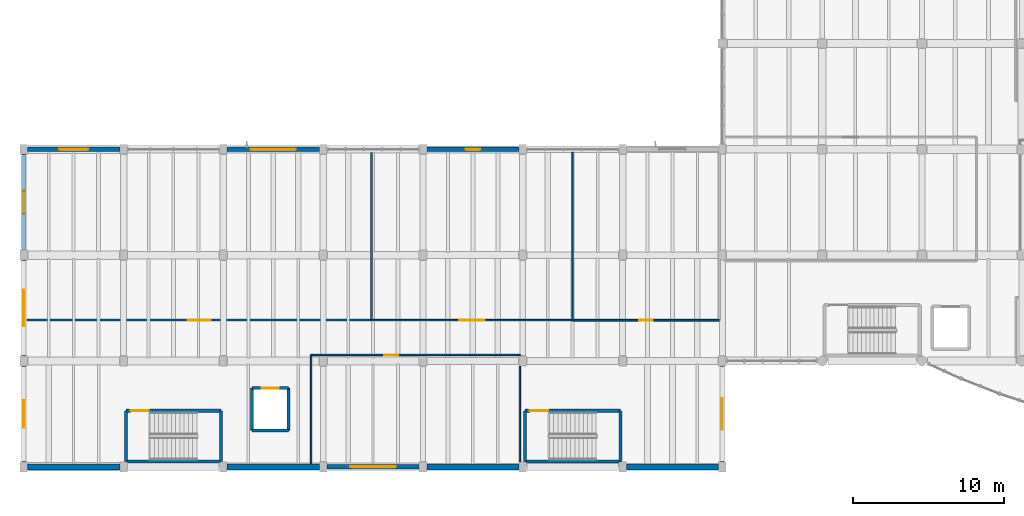
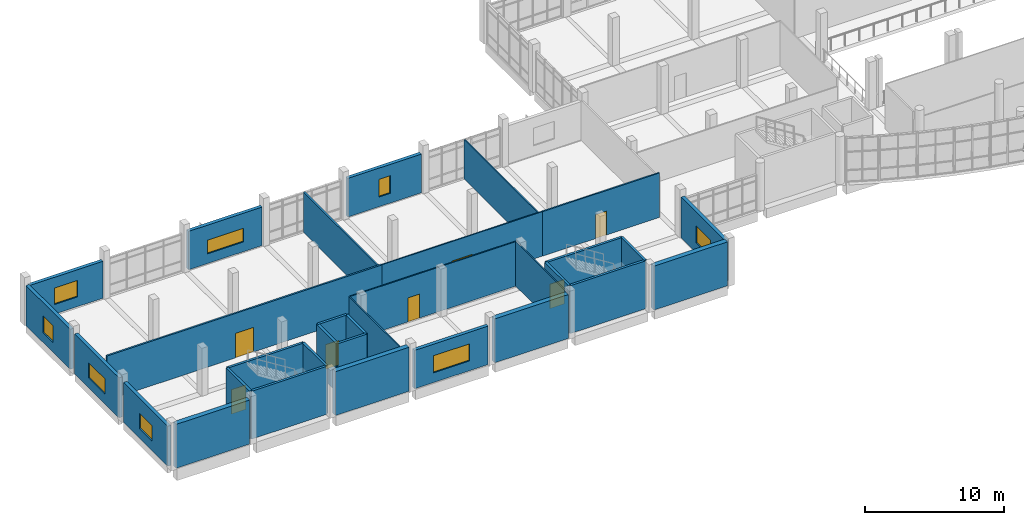
# One storey, part 49 of 67: 32 walls, 8 windows, 7 doors, 15 openings.
"""IFC4 building model written with IfcOpenShell, lengths in metres."""

from ifc_helpers import new_model, si_unit, direction, frame, frame_2d, origin, place, context, subcontext, project, spatial, rectangle, extrude, material, layer, layer_set, type_object, element, fill, save


model = new_model("IFC4")

# Units and contexts
model_context = context("Model", 3, precision=1e-05, world=origin(), true_north=direction((0.0, 1.0)))
body_context = subcontext(model_context, "Body", "Model", "MODEL_VIEW")
ifc_project = project(units=[si_unit("LENGTHUNIT", "METRE"), si_unit("AREAUNIT", "SQUARE_METRE"), si_unit("VOLUMEUNIT", "CUBIC_METRE"), si_unit("PLANEANGLEUNIT", "RADIAN"), si_unit("MASSUNIT", "GRAM", prefix="KILO")], contexts=[model_context])

# Site, building, storey
site_placement = place(None, origin())
site = spatial("IfcSite", under=ifc_project, at=site_placement, CompositionType="ELEMENT")
building_placement = place(site_placement, origin())
building = spatial("IfcBuilding", under=site, at=building_placement, Name="Ciguamira Faculty of Natural Sciences", CompositionType="ELEMENT")
storey_placement = place(building_placement, frame((0.0, 0.0, 8.39990234375)))
storey = spatial("IfcBuildingStorey", under=building, at=storey_placement, Name="L02", CompositionType="ELEMENT", Elevation=8.39990234375)

# Wall, opening, window
ifc_material_1 = material(Name="Precast concrete C40/50", Category="concrete")
ifc_layer_1 = layer(ifc_material_1, 0.280029296875, Name="Precast concrete C40/50")
ifc_layer_set_1 = layer_set([ifc_layer_1], Name="Precast concrete C40/50")
wall_type_1 = type_object("IfcWallType", Name="ExtWall_EW-01_280", PredefinedType="SOLIDWALL", material=ifc_layer_set_1)
wall_1_placement = place(storey_placement, frame((24.550048828125, 3.0, 0.0), z_axis=(0.0, 0.0, 1.0), x_axis=(1.0, 0.0, 0.0)))
wall_1 = element("IfcWall", 1, at=wall_1_placement, inside=storey, type_object=wall_type_1, Name="L02 exterior wall 0209", PredefinedType="SOLIDWALL", context=body_context, shape_type="SweptSolid", body=[
    extrude(rectangle(XDim=6.099853515625, YDim=0.280029296875, at=frame_2d((3.0498046875, 0.0))), origin(), (0.0, 0.0, 1.0), 3.364990234375),
])
opening_1_placement = place(wall_1_placement, frame((1.550048828125, 0.0, 0.85009765625)))
opening_1 = element("IfcOpeningElement", 2, at=opening_1_placement, cuts=wall_1, Name="Opening WT-14", PredefinedType="OPENING", context=body_context, shape_type="SweptSolid", body=[
    extrude(rectangle(XDim=3.0, YDim=1.5, at=frame_2d((1.5, 0.75))), frame((0.0, 0.14990234375, 0.0), z_axis=(0.0, -1.0, 0.0), x_axis=(1.0, 0.0, 0.0)), (0.0, 0.0, 1.0), 0.300048828125),
])
ifc_material_2 = material(Name="Hurricane laminated solar glass", Category="glass")
window_type_1 = type_object("IfcWindowType", Name="Window_WT-14_3000x1500", PartitioningType="DOUBLE_PANEL_VERTICAL", PredefinedType="WINDOW", material=ifc_material_2)
window_1_placement = place(opening_1_placement, origin())
window_1 = element("IfcWindow", 3, at=window_1_placement, inside=storey, type_object=window_type_1, Name="L02 facade window 0122", OverallHeight=1.5, OverallWidth=3.0, PartitioningType="SINGLE_PANEL", PredefinedType="WINDOW", context=body_context, shape_type="SweptSolid", body=[
    extrude(rectangle(XDim=3.0, YDim=1.5, at=frame_2d((1.5, 0.75))), frame((0.0, 0.030029296875, 0.0), z_axis=(0.0, -1.0, 0.0), x_axis=(1.0, 0.0, 0.0)), (0.0, 0.0, 1.0), 0.06005859375),
])
fill(opening_1, window_1)

wall_2_placement = place(storey_placement, frame((4.75, 24.0, 0.0), z_axis=(0.0, 0.0, 1.0), x_axis=(1.0, 0.0, 0.0)))
wall_2 = element("IfcWall", 4, at=wall_2_placement, inside=storey, type_object=wall_type_1, Name="L02 exterior wall 0212", PredefinedType="SOLIDWALL", context=body_context, shape_type="SweptSolid", body=[
    extrude(rectangle(XDim=6.10009765625, YDim=0.280029296875, at=frame_2d((3.050048828125, 0.0))), origin(), (0.0, 0.0, 1.0), 3.235107421875),
])
opening_2_placement = place(wall_2_placement, frame((2.10009765625, 0.0, 0.85009765625)))
opening_2 = element("IfcOpeningElement", 5, at=opening_2_placement, cuts=wall_2, Name="Opening WT-30", PredefinedType="OPENING", context=body_context, shape_type="SweptSolid", body=[
    extrude(rectangle(XDim=1.89990234375, YDim=1.449951171875, at=frame_2d((0.949951171875, 0.72509765625))), frame((0.0, 0.14990234375, 0.0), z_axis=(0.0, -1.0, 0.0), x_axis=(1.0, 0.0, 0.0)), (0.0, 0.0, 1.0), 0.300048828125),
])
window_type_2 = type_object("IfcWindowType", Name="Window_WT-30_1900x1450", PartitioningType="DOUBLE_PANEL_VERTICAL", PredefinedType="WINDOW", material=ifc_material_2)
window_2_placement = place(opening_2_placement, origin())
window_2 = element("IfcWindow", 6, at=window_2_placement, inside=storey, type_object=window_type_2, Name="L02 facade window 0123", OverallHeight=1.449951171875, OverallWidth=1.89990234375, PartitioningType="SINGLE_PANEL", PredefinedType="WINDOW", context=body_context, shape_type="SweptSolid", body=[
    extrude(rectangle(XDim=1.89990234375, YDim=1.449951171875, at=frame_2d((0.949951171875, 0.72509765625))), frame((0.0, 0.030029296875, 0.0), z_axis=(0.0, -1.0, 0.0), x_axis=(1.0, 0.0, 0.0)), (0.0, 0.0, 1.0), 0.06005859375),
])
fill(opening_2, window_2)

wall_3_placement = place(storey_placement, frame((17.949951171875, 24.0, 0.0), z_axis=(0.0, 0.0, 1.0), x_axis=(1.0, 0.0, 0.0)))
wall_3 = element("IfcWall", 7, at=wall_3_placement, inside=storey, type_object=wall_type_1, Name="L02 exterior wall 0213", PredefinedType="SOLIDWALL", context=body_context, shape_type="SweptSolid", body=[
    extrude(rectangle(XDim=6.10009765625, YDim=0.280029296875, at=frame_2d((3.050048828125, 0.0))), origin(), (0.0, 0.0, 1.0), 3.364990234375),
])
opening_3_placement = place(wall_3_placement, frame((1.550048828125, 0.0, 0.85009765625)))
opening_3 = element("IfcOpeningElement", 8, at=opening_3_placement, cuts=wall_3, Name="Opening WT-33", PredefinedType="OPENING", context=body_context, shape_type="SweptSolid", body=[
    extrude(rectangle(XDim=3.0, YDim=1.199951171875, at=frame_2d((1.5, 0.60009765625))), frame((0.0, 0.14990234375, 0.0), z_axis=(0.0, -1.0, 0.0), x_axis=(1.0, 0.0, 0.0)), (0.0, 0.0, 1.0), 0.300048828125),
])
window_type_3 = type_object("IfcWindowType", Name="Window_WT-33_3000x1200", PartitioningType="DOUBLE_PANEL_VERTICAL", PredefinedType="WINDOW", material=ifc_material_2)
window_3_placement = place(opening_3_placement, origin())
window_3 = element("IfcWindow", 9, at=window_3_placement, inside=storey, type_object=window_type_3, Name="L02 facade window 0124", OverallHeight=1.199951171875, OverallWidth=3.0, PartitioningType="SINGLE_PANEL", PredefinedType="WINDOW", context=body_context, shape_type="SweptSolid", body=[
    extrude(rectangle(XDim=3.0, YDim=1.199951171875, at=frame_2d((1.5, 0.60009765625))), frame((0.0, 0.030029296875, 0.0), z_axis=(0.0, -1.0, 0.0), x_axis=(1.0, 0.0, 0.0)), (0.0, 0.0, 1.0), 0.06005859375),
])
fill(opening_3, window_3)

wall_4_placement = place(storey_placement, frame((31.14990234375, 24.0, 0.0), z_axis=(0.0, 0.0, 1.0), x_axis=(1.0, 0.0, 0.0)))
wall_4 = element("IfcWall", 10, at=wall_4_placement, inside=storey, type_object=wall_type_1, Name="L02 exterior wall 0214", PredefinedType="SOLIDWALL", context=body_context, shape_type="SweptSolid", body=[
    extrude(rectangle(XDim=6.10009765625, YDim=0.280029296875, at=frame_2d((3.050048828125, 0.0))), origin(), (0.0, 0.0, 1.0), 3.385009765625),
])
opening_4_placement = place(wall_4_placement, frame((2.574951171875, 0.0, 0.85009765625)))
opening_4 = element("IfcOpeningElement", 11, at=opening_4_placement, cuts=wall_4, Name="Opening WT-36", PredefinedType="OPENING", context=body_context, shape_type="SweptSolid", body=[
    extrude(rectangle(XDim=0.949951171875, YDim=1.550048828125, at=frame_2d((0.47509765625, 0.77490234375))), frame((0.0, 0.14990234375, 0.0), z_axis=(0.0, -1.0, 0.0), x_axis=(1.0, 0.0, 0.0)), (0.0, 0.0, 1.0), 0.300048828125),
])
window_type_4 = type_object("IfcWindowType", Name="Window_WT-36_950x1550", PartitioningType="DOUBLE_PANEL_VERTICAL", PredefinedType="WINDOW", material=ifc_material_2)
window_4_placement = place(opening_4_placement, origin())
window_4 = element("IfcWindow", 12, at=window_4_placement, inside=storey, type_object=window_type_4, Name="L02 facade window 0125", OverallHeight=1.550048828125, OverallWidth=0.949951171875, PartitioningType="SINGLE_PANEL", PredefinedType="WINDOW", context=body_context, shape_type="SweptSolid", body=[
    extrude(rectangle(XDim=0.949951171875, YDim=1.550048828125, at=frame_2d((0.47509765625, 0.77490234375))), frame((0.0, 0.030029296875, 0.0), z_axis=(0.0, -1.0, 0.0), x_axis=(1.0, 0.0, 0.0)), (0.0, 0.0, 1.0), 0.06005859375),
])
fill(opening_4, window_4)

wall_5_placement = place(storey_placement, frame((4.5, 3.324951171875, 0.0), z_axis=(0.0, 0.0, 1.0), x_axis=(0.0, 1.0, 0.0)))
wall_5 = element("IfcWall", 13, at=wall_5_placement, inside=storey, type_object=wall_type_1, Name="L02 exterior wall 0231", PredefinedType="SOLIDWALL", context=body_context, shape_type="SweptSolid", body=[
    extrude(rectangle(XDim=6.35009765625, YDim=0.280029296875, at=frame_2d((3.175048828125, 0.0))), origin(), (0.0, 0.0, 1.0), 3.505126953125),
])
opening_5_placement = place(wall_5_placement, frame((2.27490234375, 0.0, 0.85009765625)))
opening_5 = element("IfcOpeningElement", 14, at=opening_5_placement, cuts=wall_5, Name="Opening WT-05", PredefinedType="OPENING", context=body_context, shape_type="SweptSolid", body=[
    extrude(rectangle(XDim=1.800048828125, YDim=1.35009765625, at=frame_2d((0.89990234375, 0.675048828125))), frame((0.0, 0.14990234375, 0.0), z_axis=(0.0, -1.0, 0.0), x_axis=(1.0, 0.0, 0.0)), (0.0, 0.0, 1.0), 0.300048828125),
])
window_type_5 = type_object("IfcWindowType", Name="Window_WT-05_1800x1350", PartitioningType="DOUBLE_PANEL_VERTICAL", PredefinedType="WINDOW", material=ifc_material_2)
window_5_placement = place(opening_5_placement, origin())
window_5 = element("IfcWindow", 15, at=window_5_placement, inside=storey, type_object=window_type_5, Name="L02 facade window 0138", OverallHeight=1.35009765625, OverallWidth=1.800048828125, PartitioningType="SINGLE_PANEL", PredefinedType="WINDOW", context=body_context, shape_type="SweptSolid", body=[
    extrude(rectangle(XDim=1.800048828125, YDim=1.35009765625, at=frame_2d((0.89990234375, 0.675048828125))), frame((0.0, 0.030029296875, 0.0), z_axis=(0.0, -1.0, 0.0), x_axis=(1.0, 0.0, 0.0)), (0.0, 0.0, 1.0), 0.06005859375),
])
fill(opening_5, window_5)

wall_6_placement = place(storey_placement, frame((4.5, 10.324951171875, 0.0), z_axis=(0.0, 0.0, 1.0), x_axis=(0.0, 1.0, 0.0)))
wall_6 = element("IfcWall", 16, at=wall_6_placement, inside=storey, type_object=wall_type_1, Name="L02 exterior wall 0232", PredefinedType="SOLIDWALL", context=body_context, shape_type="SweptSolid", body=[
    extrude(rectangle(XDim=6.35009765625, YDim=0.280029296875, at=frame_2d((3.175048828125, 0.0))), origin(), (0.0, 0.0, 1.0), 3.505126953125),
])
opening_6_placement = place(wall_6_placement, frame((1.97509765625, 0.0, 0.85009765625)))
opening_6 = element("IfcOpeningElement", 17, at=opening_6_placement, cuts=wall_6, Name="Opening WT-07", PredefinedType="OPENING", context=body_context, shape_type="SweptSolid", body=[
    extrude(rectangle(XDim=2.39990234375, YDim=1.35009765625, at=frame_2d((1.199951171875, 0.675048828125))), frame((0.0, 0.14990234375, 0.0), z_axis=(0.0, -1.0, 0.0), x_axis=(1.0, 0.0, 0.0)), (0.0, 0.0, 1.0), 0.300048828125),
])
window_type_6 = type_object("IfcWindowType", Name="Window_WT-07_2400x1350", PartitioningType="DOUBLE_PANEL_VERTICAL", PredefinedType="WINDOW", material=ifc_material_2)
window_6_placement = place(opening_6_placement, origin())
window_6 = element("IfcWindow", 18, at=window_6_placement, inside=storey, type_object=window_type_6, Name="L02 facade window 0139", OverallHeight=1.35009765625, OverallWidth=2.39990234375, PartitioningType="SINGLE_PANEL", PredefinedType="WINDOW", context=body_context, shape_type="SweptSolid", body=[
    extrude(rectangle(XDim=2.39990234375, YDim=1.35009765625, at=frame_2d((1.199951171875, 0.675048828125))), frame((0.0, 0.030029296875, 0.0), z_axis=(0.0, -1.0, 0.0), x_axis=(1.0, 0.0, 0.0)), (0.0, 0.0, 1.0), 0.06005859375),
])
fill(opening_6, window_6)

wall_7_placement = place(storey_placement, frame((4.5, 17.324951171875, 0.0), z_axis=(0.0, 0.0, 1.0), x_axis=(0.0, 1.0, 0.0)))
wall_7 = element("IfcWall", 19, at=wall_7_placement, inside=storey, type_object=wall_type_1, Name="L02 exterior wall 0233", PredefinedType="SOLIDWALL", context=body_context, shape_type="SweptSolid", body=[
    extrude(rectangle(XDim=6.35009765625, YDim=0.280029296875, at=frame_2d((3.175048828125, 0.0))), origin(), (0.0, 0.0, 1.0), 3.505126953125),
])
opening_7_placement = place(wall_7_placement, frame((2.425048828125, 0.0, 0.85009765625)))
opening_7 = element("IfcOpeningElement", 20, at=opening_7_placement, cuts=wall_7, Name="Opening WT-09", PredefinedType="OPENING", context=body_context, shape_type="SweptSolid", body=[
    extrude(rectangle(XDim=1.5, YDim=1.5, at=frame_2d((0.75, 0.75))), frame((0.0, 0.14990234375, 0.0), z_axis=(0.0, -1.0, 0.0), x_axis=(1.0, 0.0, 0.0)), (0.0, 0.0, 1.0), 0.300048828125),
])
window_type_7 = type_object("IfcWindowType", Name="Window_WT-09_1500x1500", PartitioningType="DOUBLE_PANEL_VERTICAL", PredefinedType="WINDOW", material=ifc_material_2)
window_7_placement = place(opening_7_placement, origin())
window_7 = element("IfcWindow", 21, at=window_7_placement, inside=storey, type_object=window_type_7, Name="L02 facade window 0140", OverallHeight=1.5, OverallWidth=1.5, PartitioningType="SINGLE_PANEL", PredefinedType="WINDOW", context=body_context, shape_type="SweptSolid", body=[
    extrude(rectangle(XDim=1.5, YDim=1.5, at=frame_2d((0.75, 0.75))), frame((0.0, 0.030029296875, 0.0), z_axis=(0.0, -1.0, 0.0), x_axis=(1.0, 0.0, 0.0)), (0.0, 0.0, 1.0), 0.06005859375),
])
fill(opening_7, window_7)

wall_8_placement = place(storey_placement, frame((50.699951171875, 3.324951171875, 0.0), z_axis=(0.0, 0.0, 1.0), x_axis=(0.0, 1.0, 0.0)))
wall_8 = element("IfcWall", 22, at=wall_8_placement, inside=storey, type_object=wall_type_1, Name="L02 exterior wall 0234", PredefinedType="SOLIDWALL", context=body_context, shape_type="SweptSolid", body=[
    extrude(rectangle(XDim=6.35009765625, YDim=0.280029296875, at=frame_2d((3.175048828125, 0.0))), origin(), (0.0, 0.0, 1.0), 3.565185546875),
])
opening_8_placement = place(wall_8_placement, frame((2.125, 0.0, 0.85009765625)))
opening_8 = element("IfcOpeningElement", 23, at=opening_8_placement, cuts=wall_8, Name="Opening WT-11", PredefinedType="OPENING", context=body_context, shape_type="SweptSolid", body=[
    extrude(rectangle(XDim=2.10009765625, YDim=1.5, at=frame_2d((1.050048828125, 0.75))), frame((0.0, 0.14990234375, 0.0), z_axis=(0.0, -1.0, 0.0), x_axis=(1.0, 0.0, 0.0)), (0.0, 0.0, 1.0), 0.300048828125),
])
window_type_8 = type_object("IfcWindowType", Name="Window_WT-11_2100x1500", PartitioningType="DOUBLE_PANEL_VERTICAL", PredefinedType="WINDOW", material=ifc_material_2)
window_8_placement = place(opening_8_placement, origin())
window_8 = element("IfcWindow", 24, at=window_8_placement, inside=storey, type_object=window_type_8, Name="L02 facade window 0141", OverallHeight=1.5, OverallWidth=2.10009765625, PartitioningType="SINGLE_PANEL", PredefinedType="WINDOW", context=body_context, shape_type="SweptSolid", body=[
    extrude(rectangle(XDim=2.10009765625, YDim=1.5, at=frame_2d((1.050048828125, 0.75))), frame((0.0, 0.030029296875, 0.0), z_axis=(0.0, -1.0, 0.0), x_axis=(1.0, 0.0, 0.0)), (0.0, 0.0, 1.0), 0.06005859375),
])
fill(opening_8, window_8)

# Walls
ifc_material_3 = material(Name="Concrete C40/50", Category="concrete")
ifc_layer_2 = layer(ifc_material_3, 0.39990234375, Name="Concrete C40/50")
ifc_layer_set_2 = layer_set([ifc_layer_2], Name="Concrete C40/50")
wall_type_2 = type_object("IfcWallType", Name="ExtWall_RW-02_400", PredefinedType="SHEAR", material=ifc_layer_set_2)
for number, where, z_axis, x_axis, name in (
    (25, (4.75, 3.0, 0.0), (0.0, 0.0, 1.0), (1.0, 0.0, 0.0), "L02 exterior wall 0207"),
    (26, (17.949951171875, 3.0, 0.0), (0.0, 0.0, 1.0), (1.0, 0.0, 0.0), "L02 exterior wall 0208"),
    (27, (31.14990234375, 3.0, 0.0), (0.0, 0.0, 1.0), (1.0, 0.0, 0.0), "L02 exterior wall 0210"),
):
    element("IfcWall", number, at=place(storey_placement, frame(where, z_axis=z_axis, x_axis=x_axis)), inside=storey, type_object=wall_type_2, Name=name, PredefinedType="SHEAR", context=body_context, shape_type="SweptSolid", body=[
        extrude(rectangle(XDim=6.10009765625, YDim=0.39990234375, at=frame_2d((3.050048828125, 0.0))), origin(), (0.0, 0.0, 1.0), 3.85009765625),
    ])
wall_9_placement = place(storey_placement, frame((44.35009765625, 3.0, 0.0), z_axis=(0.0, 0.0, 1.0), x_axis=(1.0, 0.0, 0.0)))
element("IfcWall", 28, at=wall_9_placement, inside=storey, type_object=wall_type_2, Name="L02 exterior wall 0211", PredefinedType="SHEAR", context=body_context, shape_type="SweptSolid", body=[
    extrude(rectangle(XDim=6.099853515625, YDim=0.39990234375, at=frame_2d((3.0498046875, 0.0))), origin(), (0.0, 0.0, 1.0), 3.85009765625),
])
ifc_layer_3 = layer(ifc_material_3, 0.199951171875, Name="Concrete C40/50")
ifc_layer_set_3 = layer_set([ifc_layer_3], Name="Concrete C40/50")
wall_type_3 = type_object("IfcWallType", Name="IntWall_CW-S20_200", PredefinedType="SHEAR", material=ifc_layer_set_3)
wall_10_placement = place(storey_placement, frame((11.25, 3.35009765625, 0.0), z_axis=(0.0, 0.0, 1.0), x_axis=(1.0, 0.0, 0.0)))
element("IfcWall", 29, at=wall_10_placement, inside=storey, type_object=wall_type_3, Name="L02 ST-C1 core shear wall south", PredefinedType="SHEAR", context=body_context, shape_type="SweptSolid", body=[
    extrude(rectangle(XDim=6.300048828125, YDim=0.199951171875, at=frame_2d((3.14990234375, 0.0))), origin(), (0.0, 0.0, 1.0), 4.2001953125),
])

# Wall, opening, door
wall_11_placement = place(storey_placement, frame((11.25, 6.7099609375, 0.0), z_axis=(0.0, 0.0, 1.0), x_axis=(1.0, 0.0, 0.0)))
wall_11 = element("IfcWall", 30, at=wall_11_placement, inside=storey, type_object=wall_type_3, Name="L02 ST-C1 core shear wall north", PredefinedType="SHEAR", context=body_context, shape_type="SweptSolid", body=[
    extrude(rectangle(XDim=6.300048828125, YDim=0.199951171875, at=frame_2d((3.14990234375, 0.0))), origin(), (0.0, 0.0, 1.0), 4.2001953125),
])
opening_9_placement = place(wall_11_placement, frame((0.320068359375, 0.0, 0.0)))
opening_9 = element("IfcOpeningElement", 31, at=opening_9_placement, cuts=wall_11, Name="Opening ID-14", PredefinedType="OPENING", context=body_context, shape_type="SweptSolid", body=[
    extrude(rectangle(XDim=1.199951171875, YDim=2.14990234375, at=frame_2d((0.60009765625, 1.074951171875))), frame((0.0, 0.10986328125, 0.0), z_axis=(0.0, -1.0, 0.0), x_axis=(1.0, 0.0, 0.0)), (0.0, 0.0, 1.0), 0.219970703125),
])
ifc_material_4 = material(Name="Protected exit stair fire door")
door_type_1 = type_object("IfcDoorType", Name="IntDoor_ID-14_1200x2150", OperationType="NOTDEFINED", PredefinedType="DOOR", material=ifc_material_4)
door_1_placement = place(opening_9_placement, frame((1.199951171875, 0.0, 0.0), z_axis=(0.0, 0.0, 1.0), x_axis=(-1.0, 0.0, 0.0)))
door_1 = element("IfcDoor", 32, at=door_1_placement, inside=storey, type_object=door_type_1, Name="L02 ST-C1 exit stair fire door", OperationType="SINGLE_SWING_RIGHT", OverallHeight=2.14990234375, OverallWidth=1.199951171875, PredefinedType="DOOR", context=body_context, shape_type="SweptSolid", body=[
    extrude(rectangle(XDim=1.199951171875, YDim=2.14990234375, at=frame_2d((0.60009765625, 1.074951171875))), frame((0.0, 0.02490234375, 0.0), z_axis=(0.0, -1.0, 0.0), x_axis=(1.0, 0.0, 0.0)), (0.0, 0.0, 1.0), 0.050048828125),
])
fill(opening_9, door_1)

# Walls
for number, where, z_axis, x_axis, name in (
    (33, (11.25, 3.35009765625, 0.0), (0.0, 0.0, 1.0), (0.0, 1.0, 0.0), "L02 ST-C1 core shear wall west"),
    (34, (17.550048828125, 3.35009765625, 0.0), (0.0, 0.0, 1.0), (0.0, 1.0, 0.0), "L02 ST-C1 core shear wall east"),
):
    element("IfcWall", number, at=place(storey_placement, frame(where, z_axis=z_axis, x_axis=x_axis)), inside=storey, type_object=wall_type_3, Name=name, PredefinedType="SHEAR", context=body_context, shape_type="SweptSolid", body=[
        extrude(rectangle(XDim=3.35986328125, YDim=0.199951171875, at=frame_2d((1.679931640625, 0.0))), origin(), (0.0, 0.0, 1.0), 4.2001953125),
    ])
wall_12_placement = place(storey_placement, frame((37.64990234375, 3.35009765625, 0.0), z_axis=(0.0, 0.0, 1.0), x_axis=(1.0, 0.0, 0.0)))
element("IfcWall", 35, at=wall_12_placement, inside=storey, type_object=wall_type_3, Name="L02 ST-C2 core shear wall south", PredefinedType="SHEAR", context=body_context, shape_type="SweptSolid", body=[
    extrude(rectangle(XDim=6.300048828125, YDim=0.199951171875, at=frame_2d((3.14990234375, 0.0))), origin(), (0.0, 0.0, 1.0), 4.2001953125),
])

# Wall, opening, door
wall_13_placement = place(storey_placement, frame((37.64990234375, 6.7099609375, 0.0), z_axis=(0.0, 0.0, 1.0), x_axis=(1.0, 0.0, 0.0)))
wall_13 = element("IfcWall", 36, at=wall_13_placement, inside=storey, type_object=wall_type_3, Name="L02 ST-C2 core shear wall north", PredefinedType="SHEAR", context=body_context, shape_type="SweptSolid", body=[
    extrude(rectangle(XDim=6.300048828125, YDim=0.199951171875, at=frame_2d((3.14990234375, 0.0))), origin(), (0.0, 0.0, 1.0), 4.2001953125),
])
opening_10_placement = place(wall_13_placement, frame((0.320068359375, 0.0, 0.0)))
opening_10 = element("IfcOpeningElement", 37, at=opening_10_placement, cuts=wall_13, Name="Opening ID-14", PredefinedType="OPENING", context=body_context, shape_type="SweptSolid", body=[
    extrude(rectangle(XDim=1.199951171875, YDim=2.14990234375, at=frame_2d((0.60009765625, 1.074951171875))), frame((0.0, 0.10986328125, 0.0), z_axis=(0.0, -1.0, 0.0), x_axis=(1.0, 0.0, 0.0)), (0.0, 0.0, 1.0), 0.219970703125),
])
door_2_placement = place(opening_10_placement, frame((1.199951171875, 0.0, 0.0), z_axis=(0.0, 0.0, 1.0), x_axis=(-1.0, 0.0, 0.0)))
door_2 = element("IfcDoor", 38, at=door_2_placement, inside=storey, type_object=door_type_1, Name="L02 ST-C2 exit stair fire door", OperationType="SINGLE_SWING_RIGHT", OverallHeight=2.14990234375, OverallWidth=1.199951171875, PredefinedType="DOOR", context=body_context, shape_type="SweptSolid", body=[
    extrude(rectangle(XDim=1.199951171875, YDim=2.14990234375, at=frame_2d((0.60009765625, 1.074951171875))), frame((0.0, 0.02490234375, 0.0), z_axis=(0.0, -1.0, 0.0), x_axis=(1.0, 0.0, 0.0)), (0.0, 0.0, 1.0), 0.050048828125),
])
fill(opening_10, door_2)

# Walls
for number, where, z_axis, x_axis, name in (
    (39, (37.64990234375, 3.35009765625, 0.0), (0.0, 0.0, 1.0), (0.0, 1.0, 0.0), "L02 ST-C2 core shear wall west"),
    (40, (43.949951171875, 3.35009765625, 0.0), (0.0, 0.0, 1.0), (0.0, 1.0, 0.0), "L02 ST-C2 core shear wall east"),
):
    element("IfcWall", number, at=place(storey_placement, frame(where, z_axis=z_axis, x_axis=x_axis)), inside=storey, type_object=wall_type_3, Name=name, PredefinedType="SHEAR", context=body_context, shape_type="SweptSolid", body=[
        extrude(rectangle(XDim=3.35986328125, YDim=0.199951171875, at=frame_2d((1.679931640625, 0.0))), origin(), (0.0, 0.0, 1.0), 4.2001953125),
    ])
wall_14_placement = place(storey_placement, frame((19.60009765625, 5.39990234375, 0.0), z_axis=(0.0, 0.0, 1.0), x_axis=(1.0, 0.0, 0.0)))
element("IfcWall", 41, at=wall_14_placement, inside=storey, type_object=wall_type_3, Name="L02 EL-P2 hoistway wall south", PredefinedType="SHEAR", context=body_context, shape_type="SweptSolid", body=[
    extrude(rectangle(XDim=2.39990234375, YDim=0.199951171875, at=frame_2d((1.199951171875, 0.0))), origin(), (0.0, 0.0, 1.0), 4.2001953125),
])

# Wall, opening, door
wall_15_placement = place(storey_placement, frame((19.60009765625, 8.199951171875, 0.0), z_axis=(0.0, 0.0, 1.0), x_axis=(1.0, 0.0, 0.0)))
wall_15 = element("IfcWall", 42, at=wall_15_placement, inside=storey, type_object=wall_type_3, Name="L02 EL-P2 hoistway wall north", PredefinedType="SHEAR", context=body_context, shape_type="SweptSolid", body=[
    extrude(rectangle(XDim=2.39990234375, YDim=0.199951171875, at=frame_2d((1.199951171875, 0.0))), origin(), (0.0, 0.0, 1.0), 4.2001953125),
])
opening_11_placement = place(wall_15_placement, frame((0.64990234375, 0.0, 0.0)))
opening_11 = element("IfcOpeningElement", 43, at=opening_11_placement, cuts=wall_15, Name="Opening LD-01", PredefinedType="OPENING", context=body_context, shape_type="SweptSolid", body=[
    extrude(rectangle(XDim=1.10009765625, YDim=2.14990234375, at=frame_2d((0.550048828125, 1.074951171875))), frame((0.0, 0.10986328125, 0.0), z_axis=(0.0, -1.0, 0.0), x_axis=(1.0, 0.0, 0.0)), (0.0, 0.0, 1.0), 0.219970703125),
])
ifc_material_5 = material(Name="Passenger elevator sliding landing door")
door_type_2 = type_object("IfcDoorType", Name="LiftLandingDoor_LD-01_1100x2150", OperationType="SLIDING_TO_LEFT", PredefinedType="DOOR", material=ifc_material_5)
door_3_placement = place(opening_11_placement, origin())
door_3 = element("IfcDoor", 44, at=door_3_placement, inside=storey, type_object=door_type_2, Name="L02 EL-P2 elevator landing sliding door", OperationType="SLIDING_TO_LEFT", OverallHeight=2.14990234375, OverallWidth=1.10009765625, PredefinedType="DOOR", context=body_context, shape_type="SweptSolid", body=[
    extrude(rectangle(XDim=1.10009765625, YDim=2.14990234375, at=frame_2d((0.550048828125, 1.074951171875))), frame((0.0, 0.02490234375, 0.0), z_axis=(0.0, -1.0, 0.0), x_axis=(1.0, 0.0, 0.0)), (0.0, 0.0, 1.0), 0.050048828125),
])
fill(opening_11, door_3)

# Walls
for number, where, z_axis, x_axis, name in (
    (45, (19.60009765625, 5.39990234375, 0.0), (0.0, 0.0, 1.0), (0.0, 1.0, 0.0), "L02 EL-P2 hoistway wall west"),
    (46, (22.0, 5.39990234375, 0.0), (0.0, 0.0, 1.0), (0.0, 1.0, 0.0), "L02 EL-P2 hoistway wall east"),
):
    element("IfcWall", number, at=place(storey_placement, frame(where, z_axis=z_axis, x_axis=x_axis)), inside=storey, type_object=wall_type_3, Name=name, PredefinedType="SHEAR", context=body_context, shape_type="SweptSolid", body=[
        extrude(rectangle(XDim=2.800048828125, YDim=0.199951171875, at=frame_2d((1.39990234375, 0.0))), origin(), (0.0, 0.0, 1.0), 4.2001953125),
    ])

# Wall, opening, door
ifc_material_6 = material(Name="Fire-rated gypsum partition")
ifc_layer_4 = layer(ifc_material_6, 0.10009765625, Name="Fire-rated gypsum partition")
ifc_layer_set_4 = layer_set([ifc_layer_4], Name="Fire-rated gypsum partition")
wall_type_4 = type_object("IfcWallType", Name="IntWall_IW-A10_100", PredefinedType="PARTITIONING", material=ifc_layer_set_4)
wall_16_placement = place(storey_placement, frame((27.5, 12.699951171875, 0.0), z_axis=(0.0, 0.0, 1.0), x_axis=(1.0, 0.0, 0.0)))
wall_16 = element("IfcWall", 47, at=wall_16_placement, inside=storey, type_object=wall_type_4, Name="L02 Compact Mobile Shelving Archive partition south", PredefinedType="PARTITIONING", context=body_context, shape_type="SweptSolid", body=[
    extrude(rectangle(XDim=13.300048828125, YDim=0.10009765625, at=frame_2d((6.64990234375, 0.0))), origin(), (0.0, 0.0, 1.0), 3.900146484375),
])
opening_12_placement = place(wall_16_placement, frame((5.800048828125, 0.0, 0.0)))
opening_12 = element("IfcOpeningElement", 48, at=opening_12_placement, cuts=wall_16, Name="Opening ID-18", PredefinedType="OPENING", context=body_context, shape_type="SweptSolid", body=[
    extrude(rectangle(XDim=1.699951171875, YDim=2.199951171875, at=frame_2d((0.85009765625, 1.10009765625))), frame((0.0, 0.06005859375, 0.0), z_axis=(0.0, -1.0, 0.0), x_axis=(1.0, 0.0, 0.0)), (0.0, 0.0, 1.0), 0.1201171875),
])
ifc_material_7 = material(Name="Archive vault rated door")
door_type_3 = type_object("IfcDoorType", Name="IntDoor_ID-18_1700x2200", OperationType="NOTDEFINED", PredefinedType="DOOR", material=ifc_material_7)
door_4_placement = place(opening_12_placement, origin())
door_4 = element("IfcDoor", 49, at=door_4_placement, inside=storey, type_object=door_type_3, Name="L02 Compact Mobile Shelving Archive door", OperationType="SINGLE_SWING_LEFT", OverallHeight=2.199951171875, OverallWidth=1.699951171875, PredefinedType="DOOR", context=body_context, shape_type="SweptSolid", body=[
    extrude(rectangle(XDim=1.699951171875, YDim=2.199951171875, at=frame_2d((0.85009765625, 1.10009765625))), frame((0.0, 0.02490234375, 0.0), z_axis=(0.0, -1.0, 0.0), x_axis=(1.0, 0.0, 0.0)), (0.0, 0.0, 1.0), 0.050048828125),
])
fill(opening_12, door_4)

# Wall
wall_17_placement = place(storey_placement, frame((40.800048828125, 12.699951171875, 0.0), z_axis=(0.0, 0.0, 1.0), x_axis=(0.0, 1.0, 0.0)))
element("IfcWall", 50, at=wall_17_placement, inside=storey, type_object=wall_type_4, Name="L02 Compact Mobile Shelving Archive partition east", PredefinedType="PARTITIONING", context=body_context, shape_type="SweptSolid", body=[
    extrude(rectangle(XDim=11.10009765625, YDim=0.10009765625, at=frame_2d((5.550048828125, 0.0))), origin(), (0.0, 0.0, 1.0), 3.457763671875),
])

# Wall, opening, door
wall_18_placement = place(storey_placement, frame((23.5, 10.39990234375, 0.0), z_axis=(0.0, 0.0, 1.0), x_axis=(1.0, 0.0, 0.0)))
wall_18 = element("IfcWall", 51, at=wall_18_placement, inside=storey, type_object=wall_type_4, Name="L02 Rare Naturalist Manuscripts Room partition north", PredefinedType="PARTITIONING", context=body_context, shape_type="SweptSolid", body=[
    extrude(rectangle(XDim=13.800048828125, YDim=0.10009765625, at=frame_2d((6.89990234375, 0.0))), origin(), (0.0, 0.0, 1.0), 3.900146484375),
])
opening_13_placement = place(wall_18_placement, frame((4.824951171875, 0.0, 0.0)))
opening_13 = element("IfcOpeningElement", 52, at=opening_13_placement, cuts=wall_18, Name="Opening ID-02", PredefinedType="OPENING", context=body_context, shape_type="SweptSolid", body=[
    extrude(rectangle(XDim=0.949951171875, YDim=2.10009765625, at=frame_2d((0.47509765625, 1.050048828125))), frame((0.0, 0.06005859375, 0.0), z_axis=(0.0, -1.0, 0.0), x_axis=(1.0, 0.0, 0.0)), (0.0, 0.0, 1.0), 0.1201171875),
])
ifc_material_8 = material(Name="Accessible WC outward-clear door")
door_type_4 = type_object("IfcDoorType", Name="IntDoor_ID-02_950x2100", OperationType="NOTDEFINED", PredefinedType="DOOR", material=ifc_material_8)
door_5_placement = place(opening_13_placement, frame((0.949951171875, 0.0, 0.0), z_axis=(0.0, 0.0, 1.0), x_axis=(-1.0, 0.0, 0.0)))
door_5 = element("IfcDoor", 53, at=door_5_placement, inside=storey, type_object=door_type_4, Name="L02 Rare Naturalist Manuscripts Room door", OperationType="SINGLE_SWING_LEFT", OverallHeight=2.10009765625, OverallWidth=0.949951171875, PredefinedType="DOOR", context=body_context, shape_type="SweptSolid", body=[
    extrude(rectangle(XDim=0.949951171875, YDim=2.10009765625, at=frame_2d((0.47509765625, 1.050048828125))), frame((0.0, 0.02490234375, 0.0), z_axis=(0.0, -1.0, 0.0), x_axis=(1.0, 0.0, 0.0)), (0.0, 0.0, 1.0), 0.050048828125),
])
fill(opening_13, door_5)

# Walls
for number, where, z_axis, x_axis, name in (
    (54, (23.5, 3.199951171875, 0.0), (0.0, 0.0, 1.0), (0.0, 1.0, 0.0), "L02 Rare Naturalist Manuscripts Room partition west"),
    (55, (37.300048828125, 3.199951171875, 0.0), (0.0, 0.0, 1.0), (0.0, 1.0, 0.0), "L02 Rare Naturalist Manuscripts Room partition east"),
):
    element("IfcWall", number, at=place(storey_placement, frame(where, z_axis=z_axis, x_axis=x_axis)), inside=storey, type_object=wall_type_4, Name=name, PredefinedType="PARTITIONING", context=body_context, shape_type="SweptSolid", body=[
        extrude(rectangle(XDim=7.199951171875, YDim=0.10009765625, at=frame_2d((3.60009765625, 0.0))), origin(), (0.0, 0.0, 1.0), 3.900146484375),
    ])

# Wall, opening, door
ifc_material_9 = material(Name="Acoustic double-stud gypsum partition")
ifc_layer_5 = layer(ifc_material_9, 0.1201171875, Name="Acoustic double-stud gypsum partition")
ifc_layer_set_5 = layer_set([ifc_layer_5], Name="Acoustic double-stud gypsum partition")
wall_type_5 = type_object("IfcWallType", Name="IntWall_IW-A12_120", PredefinedType="PARTITIONING", material=ifc_layer_set_5)
wall_19_placement = place(storey_placement, frame((40.800048828125, 12.699951171875, 0.0), z_axis=(0.0, 0.0, 1.0), x_axis=(1.0, 0.0, 0.0)))
wall_19 = element("IfcWall", 56, at=wall_19_placement, inside=storey, type_object=wall_type_5, Name="L02 Graduate Research Seminar Room partition south", PredefinedType="PARTITIONING", context=body_context, shape_type="SweptSolid", body=[
    extrude(rectangle(XDim=9.699951171875, YDim=0.1201171875, at=frame_2d((4.85009765625, 0.0))), origin(), (0.0, 0.0, 1.0), 3.900146484375),
])
opening_14_placement = place(wall_19_placement, frame((4.39990234375, 0.0, 0.0)))
opening_14 = element("IfcOpeningElement", 57, at=opening_14_placement, cuts=wall_19, Name="Opening ID-01", PredefinedType="OPENING", context=body_context, shape_type="SweptSolid", body=[
    extrude(rectangle(XDim=0.89990234375, YDim=2.10009765625, at=frame_2d((0.449951171875, 1.050048828125))), frame((0.0, 0.070068359375, 0.0), z_axis=(0.0, -1.0, 0.0), x_axis=(1.0, 0.0, 0.0)), (0.0, 0.0, 1.0), 0.14013671875),
])
ifc_material_10 = material(Name="Single timber office door", Category="wood")
door_type_5 = type_object("IfcDoorType", Name="IntDoor_ID-01_900x2100", OperationType="NOTDEFINED", PredefinedType="DOOR", material=ifc_material_10)
door_6_placement = place(opening_14_placement, origin())
door_6 = element("IfcDoor", 58, at=door_6_placement, inside=storey, type_object=door_type_5, Name="L02 Graduate Research Seminar Room door", OperationType="SINGLE_SWING_RIGHT", OverallHeight=2.10009765625, OverallWidth=0.89990234375, PredefinedType="DOOR", context=body_context, shape_type="SweptSolid", body=[
    extrude(rectangle(XDim=0.89990234375, YDim=2.10009765625, at=frame_2d((0.449951171875, 1.050048828125))), frame((0.0, 0.02490234375, 0.0), z_axis=(0.0, -1.0, 0.0), x_axis=(1.0, 0.0, 0.0)), (0.0, 0.0, 1.0), 0.050048828125),
])
fill(opening_14, door_6)

ifc_material_11 = material(Name="Moisture-resistant service chase wall")
ifc_layer_6 = layer(ifc_material_11, 0.139892578125, Name="Moisture-resistant service chase wall")
ifc_layer_set_6 = layer_set([ifc_layer_6], Name="Moisture-resistant service chase wall")
wall_type_6 = type_object("IfcWallType", Name="IntWall_IW-P14_140", PredefinedType="PLUMBINGWALL", material=ifc_layer_set_6)
wall_20_placement = place(storey_placement, frame((4.699951171875, 12.699951171875, 0.0), z_axis=(0.0, 0.0, 1.0), x_axis=(1.0, 0.0, 0.0)))
wall_20 = element("IfcWall", 59, at=wall_20_placement, inside=storey, type_object=wall_type_6, Name="L02 Chemistry and Physics Monograph Stacks partition south", PredefinedType="PLUMBINGWALL", context=body_context, shape_type="SweptSolid", body=[
    extrude(rectangle(XDim=22.800048828125, YDim=0.139892578125, at=frame_2d((11.39990234375, 0.0))), origin(), (0.0, 0.0, 1.0), 3.900146484375),
])
opening_15_placement = place(wall_20_placement, frame((10.64990234375, 0.0, 0.0)))
opening_15 = element("IfcOpeningElement", 60, at=opening_15_placement, cuts=wall_20, Name="Opening ID-17", PredefinedType="OPENING", context=body_context, shape_type="SweptSolid", body=[
    extrude(rectangle(XDim=1.5, YDim=2.14990234375, at=frame_2d((0.75, 1.074951171875))), frame((0.0, 0.079833984375, 0.0), z_axis=(0.0, -1.0, 0.0), x_axis=(1.0, 0.0, 0.0)), (0.0, 0.0, 1.0), 0.159912109375),
])
ifc_material_12 = material(Name="Plant room double steel door", Category="steel")
door_type_6 = type_object("IfcDoorType", Name="IntDoor_ID-17_1500x2150", OperationType="NOTDEFINED", PredefinedType="DOOR", material=ifc_material_12)
door_7_placement = place(opening_15_placement, origin())
door_7 = element("IfcDoor", 61, at=door_7_placement, inside=storey, type_object=door_type_6, Name="L02 Chemistry and Physics Monograph Stacks door", OperationType="SINGLE_SWING_RIGHT", OverallHeight=2.14990234375, OverallWidth=1.5, PredefinedType="DOOR", context=body_context, shape_type="SweptSolid", body=[
    extrude(rectangle(XDim=1.5, YDim=2.14990234375, at=frame_2d((0.75, 1.074951171875))), frame((0.0, 0.02490234375, 0.0), z_axis=(0.0, -1.0, 0.0), x_axis=(1.0, 0.0, 0.0)), (0.0, 0.0, 1.0), 0.050048828125),
])
fill(opening_15, door_7)

# Wall
wall_21_placement = place(storey_placement, frame((27.5, 12.699951171875, 0.0), z_axis=(0.0, 0.0, 1.0), x_axis=(0.0, 1.0, 0.0)))
element("IfcWall", 62, at=wall_21_placement, inside=storey, type_object=wall_type_6, Name="L02 Chemistry and Physics Monograph Stacks partition east", PredefinedType="PLUMBINGWALL", context=body_context, shape_type="SweptSolid", body=[
    extrude(rectangle(XDim=11.10009765625, YDim=0.139892578125, at=frame_2d((5.550048828125, 0.0))), origin(), (0.0, 0.0, 1.0), 3.521240234375),
])

save(model, "model.ifc")
